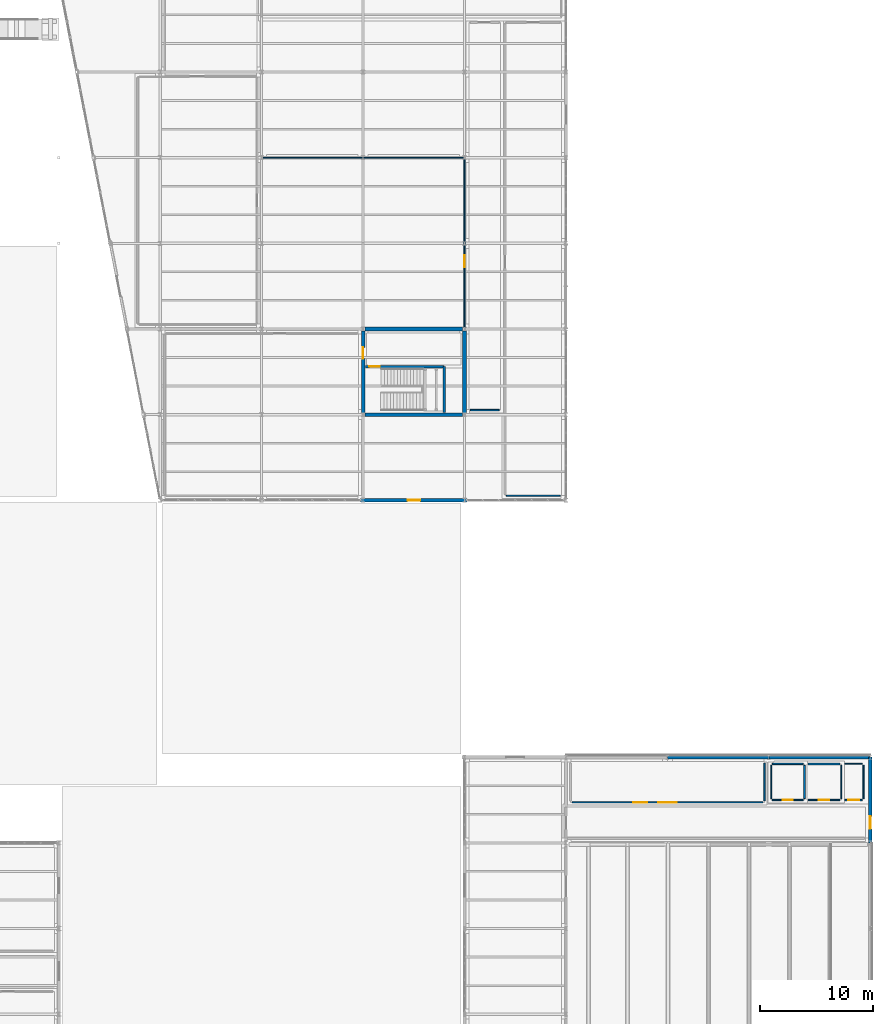
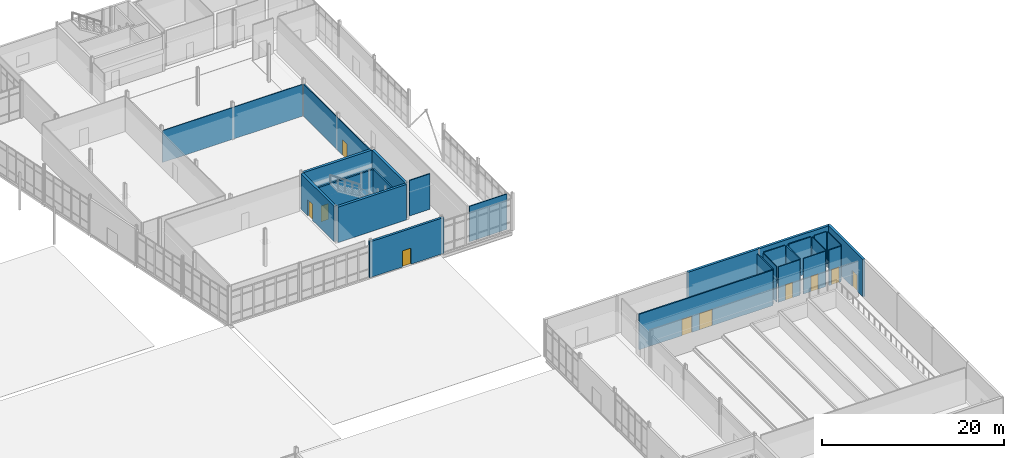
# One storey, part 149 of 161: 26 walls, 10 doors, 10 openings.
"""IFC4 building model written with IfcOpenShell, lengths in metres."""

from ifc_helpers import new_model, si_unit, direction, frame, frame_2d, origin, place, context, subcontext, project, spatial, rectangle, extrude, material, layer, layer_set, type_object, element, fill, save


model = new_model("IFC4")

# Units and contexts
model_context = context("Model", 3, precision=1e-05, world=origin(), true_north=direction((0.0, 1.0)))
body_context = subcontext(model_context, "Body", "Model", "MODEL_VIEW")
ifc_project = project(units=[si_unit("LENGTHUNIT", "METRE"), si_unit("AREAUNIT", "SQUARE_METRE"), si_unit("VOLUMEUNIT", "CUBIC_METRE"), si_unit("PLANEANGLEUNIT", "RADIAN"), si_unit("MASSUNIT", "GRAM", prefix="KILO")], contexts=[model_context])

# Site, building, storey
site_placement = place(None, origin())
site = spatial("IfcSite", under=ifc_project, at=site_placement, CompositionType="ELEMENT")
building_placement = place(site_placement, origin())
building = spatial("IfcBuilding", under=site, at=building_placement, Name="Caisbarro Railhouse Central Library", CompositionType="ELEMENT")
storey_placement = place(building_placement, origin())
storey = spatial("IfcBuildingStorey", under=building, at=storey_placement, Name="L00", CompositionType="ELEMENT", Elevation=0.0)

# Walls
ifc_material_1 = material(Name="Concrete C40", Category="concrete")
ifc_layer_1 = layer(ifc_material_1, 0.320068359375, Name="Concrete C40")
ifc_layer_set_1 = layer_set([ifc_layer_1], Name="Concrete C40")
wall_type_1 = type_object("IfcWallType", Name="WAL-CW32", PredefinedType="SHEAR", material=ifc_layer_set_1)
for number, where, z_axis, x_axis, name in (
    (1, (135.159912109375, 68.39990234375, 0.0), (0.0, 0.0, 1.0), (1.0, 0.0, 0.0), "CW32 RC core shear wall L00 #90"),
    (2, (135.159912109375, 76.0, 0.0), (0.0, 0.0, 1.0), (1.0, 0.0, 0.0), "CW32 RC core shear wall L00 #91"),
):
    element("IfcWall", number, at=place(storey_placement, frame(where, z_axis=z_axis, x_axis=x_axis)), inside=storey, type_object=wall_type_1, Name=name, PredefinedType="SHEAR", context=body_context, shape_type="SweptSolid", body=[
        extrude(rectangle(XDim=8.68017578125, YDim=0.320068359375, at=frame_2d((4.340087890625, 0.0))), origin(), (0.0, 0.0, 1.0), 4.760009765625),
    ])

# Wall, opening, door
wall_1_placement = place(storey_placement, frame((135.0, 68.56005859375, 0.0), z_axis=(0.0, 0.0, 1.0), x_axis=(0.0, 1.0, 0.0)))
wall_1 = element("IfcWall", 3, at=wall_1_placement, inside=storey, type_object=wall_type_1, Name="CW32 RC core shear wall L00 #92", PredefinedType="SHEAR", context=body_context, shape_type="SweptSolid", body=[
    extrude(rectangle(XDim=7.280029296875, YDim=0.320068359375, at=frame_2d((3.64013671875, 0.0))), origin(), (0.0, 0.0, 1.0), 4.760009765625),
])
opening_1_placement = place(wall_1_placement, frame((4.800048828125, 0.0, 0.0)))
opening_1 = element("IfcOpeningElement", 4, at=opening_1_placement, cuts=wall_1, Name="Opening FD05", PredefinedType="OPENING", context=body_context, shape_type="SweptSolid", body=[
    extrude(rectangle(XDim=1.0, YDim=2.14990234375, at=frame_2d((0.5, 1.074951171875))), frame((0.0, 0.169921875, 0.0), z_axis=(0.0, -1.0, 0.0), x_axis=(1.0, 0.0, 0.0)), (0.0, 0.0, 1.0), 0.340087890625),
])
ifc_material_2 = material(Name="Fire-rated painted galvanised steel", Category="steel")
door_type_1 = type_object("IfcDoorType", Name="DR-FD05", OperationType="NOTDEFINED", PredefinedType="DOOR", material=ifc_material_2)
door_1_placement = place(opening_1_placement, origin())
door_1 = element("IfcDoor", 5, at=door_1_placement, inside=storey, type_object=door_type_1, Name="Core K7 Lobby Door FD05 L00-128", OperationType="SINGLE_SWING_LEFT", OverallHeight=2.14990234375, OverallWidth=1.0, PredefinedType="DOOR", context=body_context, shape_type="SweptSolid", body=[
    extrude(rectangle(XDim=1.0, YDim=2.14990234375, at=frame_2d((0.5, 1.074951171875))), frame((0.0, 0.02490234375, 0.0), z_axis=(0.0, -1.0, 0.0), x_axis=(1.0, 0.0, 0.0)), (0.0, 0.0, 1.0), 0.050048828125),
])
fill(opening_1, door_1)

# Wall
wall_2_placement = place(storey_placement, frame((144.0, 68.56005859375, 0.0), z_axis=(0.0, 0.0, 1.0), x_axis=(0.0, 1.0, 0.0)))
element("IfcWall", 6, at=wall_2_placement, inside=storey, type_object=wall_type_1, Name="CW32 RC core shear wall L00 #93", PredefinedType="SHEAR", context=body_context, shape_type="SweptSolid", body=[
    extrude(rectangle(XDim=7.280029296875, YDim=0.320068359375, at=frame_2d((3.64013671875, 0.0))), origin(), (0.0, 0.0, 1.0), 4.760009765625),
])

# Wall, opening, door
ifc_layer_2 = layer(ifc_material_1, 0.280029296875, Name="Concrete C40")
ifc_layer_set_2 = layer_set([ifc_layer_2], Name="Concrete C40")
wall_type_2 = type_object("IfcWallType", Name="WAL-EW28", PredefinedType="SOLIDWALL", material=ifc_layer_set_2)
wall_3_placement = place(storey_placement, frame((134.7900390625, 60.800048828125, 0.0), z_axis=(0.0, 0.0, 1.0), x_axis=(1.0, 0.0, 0.0)))
wall_3 = element("IfcWall", 7, at=wall_3_placement, inside=storey, type_object=wall_type_2, Name="EW28 exterior wall L00 #203", PredefinedType="SOLIDWALL", context=body_context, shape_type="SweptSolid", body=[
    extrude(rectangle(XDim=9.419921875, YDim=0.280029296875, at=frame_2d((4.7099609375, 0.0))), origin(), (0.0, 0.0, 1.0), 4.800048828125),
])
opening_2_placement = place(wall_3_placement, frame((4.159912109375, 0.0, 0.0)))
opening_2 = element("IfcOpeningElement", 8, at=opening_2_placement, cuts=wall_3, Name="Opening ED04", PredefinedType="OPENING", context=body_context, shape_type="SweptSolid", body=[
    extrude(rectangle(XDim=1.10009765625, YDim=2.14990234375, at=frame_2d((0.550048828125, 1.074951171875))), frame((0.0, 0.14990234375, 0.0), z_axis=(0.0, -1.0, 0.0), x_axis=(1.0, 0.0, 0.0)), (0.0, 0.0, 1.0), 0.300048828125),
])
ifc_material_3 = material(Name="Galvanised painted hollow steel", Category="steel")
door_type_2 = type_object("IfcDoorType", Name="DR-ED04", OperationType="NOTDEFINED", PredefinedType="DOOR", material=ifc_material_3)
door_2_placement = place(opening_2_placement, frame((1.10009765625, 0.0, 0.0), z_axis=(0.0, 0.0, 1.0), x_axis=(-1.0, 0.0, 0.0)))
door_2 = element("IfcDoor", 9, at=door_2_placement, inside=storey, type_object=door_type_2, Name="Exit Door ED04 L00-37", OperationType="SINGLE_SWING_RIGHT", OverallHeight=2.14990234375, OverallWidth=1.10009765625, PredefinedType="DOOR", context=body_context, shape_type="SweptSolid", body=[
    extrude(rectangle(XDim=1.10009765625, YDim=2.14990234375, at=frame_2d((0.550048828125, 1.074951171875))), frame((0.0, 0.02490234375, 0.0), z_axis=(0.0, -1.0, 0.0), x_axis=(1.0, 0.0, 0.0)), (0.0, 0.0, 1.0), 0.050048828125),
])
fill(opening_2, door_2)

ifc_layer_3 = layer(ifc_material_1, 0.300048828125, Name="Concrete C40")
ifc_layer_set_3 = layer_set([ifc_layer_3], Name="Concrete C40")
wall_type_3 = type_object("IfcWallType", Name="WAL-EW30", PredefinedType="SOLIDWALL", material=ifc_layer_set_3)
wall_4_placement = place(storey_placement, frame((180.0, 30.39990234375, 0.0), z_axis=(0.0, 0.0, 1.0), x_axis=(0.0, 1.0, 0.0)))
wall_4 = element("IfcWall", 10, at=wall_4_placement, inside=storey, type_object=wall_type_3, Name="EW30 exterior wall L00 #163", PredefinedType="SOLIDWALL", context=body_context, shape_type="SweptSolid", body=[
    extrude(rectangle(XDim=7.60009765625, YDim=0.300048828125, at=frame_2d((3.800048828125, 0.0))), origin(), (0.0, 0.0, 1.0), 5.0400390625),
])
opening_3_placement = place(wall_4_placement, frame((1.25, 0.0, 0.0)))
opening_3 = element("IfcOpeningElement", 11, at=opening_3_placement, cuts=wall_4, Name="Opening ED04", PredefinedType="OPENING", context=body_context, shape_type="SweptSolid", body=[
    extrude(rectangle(XDim=1.10009765625, YDim=2.14990234375, at=frame_2d((0.550048828125, 1.074951171875))), frame((0.0, 0.16015625, 0.0), z_axis=(0.0, -1.0, 0.0), x_axis=(1.0, 0.0, 0.0)), (0.0, 0.0, 1.0), 0.320068359375),
])
door_3_placement = place(opening_3_placement, frame((1.10009765625, 0.0, 0.0), z_axis=(0.0, 0.0, 1.0), x_axis=(-1.0, 0.0, 0.0)))
door_3 = element("IfcDoor", 12, at=door_3_placement, inside=storey, type_object=door_type_2, Name="Exit Door ED04 L00-31", OperationType="SINGLE_SWING_RIGHT", OverallHeight=2.14990234375, OverallWidth=1.10009765625, PredefinedType="DOOR", context=body_context, shape_type="SweptSolid", body=[
    extrude(rectangle(XDim=1.10009765625, YDim=2.14990234375, at=frame_2d((0.550048828125, 1.074951171875))), frame((0.0, 0.02490234375, 0.0), z_axis=(0.0, -1.0, 0.0), x_axis=(1.0, 0.0, 0.0)), (0.0, 0.0, 1.0), 0.050048828125),
])
fill(opening_3, door_3)

# Walls
for number, where, z_axis, x_axis, name in (
    (13, (162.0, 38.0, 0.0), (0.0, 0.0, 1.0), (1.0, 0.0, 0.0), "EW30 exterior wall L00 #169"),
    (14, (171.0, 38.0, 0.0), (0.0, 0.0, 1.0), (1.0, 0.0, 0.0), "EW30 exterior wall L00 #171"),
):
    element("IfcWall", number, at=place(storey_placement, frame(where, z_axis=z_axis, x_axis=x_axis)), inside=storey, type_object=wall_type_3, Name=name, PredefinedType="SOLIDWALL", context=body_context, shape_type="SweptSolid", body=[
        extrude(rectangle(XDim=9.0, YDim=0.300048828125, at=frame_2d((4.5, 0.0))), origin(), (0.0, 0.0, 1.0), 5.0400390625),
    ])
ifc_material_4 = material(Name="Acoustic gypsum board on galvanised steel studs", Category="steel")
ifc_layer_4 = layer(ifc_material_4, 0.090087890625, Name="Acoustic gypsum board on galvanised steel studs")
ifc_layer_set_4 = layer_set([ifc_layer_4], Name="Acoustic gypsum board on galvanised steel studs")
wall_type_4 = type_object("IfcWallType", Name="WAL-IW09", PredefinedType="PARTITIONING", material=ifc_layer_set_4)
for number, where, z_axis, x_axis, name in (
    (15, (171.199951171875, 34.320068359375, 0.0), (0.0, 0.0, 1.0), (0.0, 1.0, 0.0), "IW09 partition wall L00 #345"),
    (16, (177.43603515625, 34.320068359375, 0.0), (0.0, 0.0, 1.0), (0.0, 1.0, 0.0), "IW09 partition wall L00 #349"),
):
    element("IfcWall", number, at=place(storey_placement, frame(where, z_axis=z_axis, x_axis=x_axis)), inside=storey, type_object=wall_type_4, Name=name, PredefinedType="PARTITIONING", context=body_context, shape_type="SweptSolid", body=[
        extrude(rectangle(XDim=2.9599609375, YDim=0.090087890625, at=frame_2d((1.47998046875, 0.0))), origin(), (0.0, 0.0, 1.0), 4.760009765625),
    ])
wall_5_placement = place(storey_placement, frame((177.756103515625, 37.39990234375, 0.0), z_axis=(0.0, 0.0, 1.0), x_axis=(1.0, 0.0, 0.0)))
element("IfcWall", 17, at=wall_5_placement, inside=storey, type_object=wall_type_4, Name="IW09 partition wall L00 #353", PredefinedType="PARTITIONING", context=body_context, shape_type="SweptSolid", body=[
    extrude(rectangle(XDim=1.52392578125, YDim=0.090087890625, at=frame_2d((0.761962890625, 0.0))), origin(), (0.0, 0.0, 1.0), 4.760009765625),
])
wall_6_placement = place(storey_placement, frame((126.1201171875, 91.199951171875, 0.0), z_axis=(0.0, 0.0, 1.0), x_axis=(1.0, 0.0, 0.0)))
element("IfcWall", 18, at=wall_6_placement, inside=storey, type_object=wall_type_4, Name="IW09 partition wall L00 #361", PredefinedType="PARTITIONING", context=body_context, shape_type="SweptSolid", body=[
    extrude(rectangle(XDim=17.759765625, YDim=0.090087890625, at=frame_2d((8.8798828125, 0.0))), origin(), (0.0, 0.0, 1.0), 4.27490234375),
])
ifc_layer_5 = layer(ifc_material_4, 0.110107421875, Name="Acoustic gypsum board on galvanised steel studs")
ifc_layer_set_5 = layer_set([ifc_layer_5], Name="Acoustic gypsum board on galvanised steel studs")
wall_type_5 = type_object("IfcWallType", Name="WAL-IW11", PredefinedType="PARTITIONING", material=ifc_layer_set_5)
wall_7_placement = place(storey_placement, frame((147.719970703125, 61.199951171875, 0.0), z_axis=(0.0, 0.0, 1.0), x_axis=(1.0, 0.0, 0.0)))
element("IfcWall", 19, at=wall_7_placement, inside=storey, type_object=wall_type_5, Name="IW11 partition wall L00 #340", PredefinedType="PARTITIONING", context=body_context, shape_type="SweptSolid", body=[
    extrude(rectangle(XDim=4.760009765625, YDim=0.110107421875, at=frame_2d((2.3798828125, 0.0))), origin(), (0.0, 0.0, 1.0), 4.760009765625),
])

# Wall, opening, door
wall_8_placement = place(storey_placement, frame((171.320068359375, 34.199951171875, 0.0), z_axis=(0.0, 0.0, 1.0), x_axis=(1.0, 0.0, 0.0)))
wall_8 = element("IfcWall", 20, at=wall_8_placement, inside=storey, type_object=wall_type_5, Name="IW11 partition wall L00 #344", PredefinedType="PARTITIONING", context=body_context, shape_type="SweptSolid", body=[
    extrude(rectangle(XDim=2.72802734375, YDim=0.110107421875, at=frame_2d((1.364013671875, 0.0))), origin(), (0.0, 0.0, 1.0), 4.760009765625),
])
opening_4_placement = place(wall_8_placement, frame((0.9140625, 0.0, 0.0)))
opening_4 = element("IfcOpeningElement", 21, at=opening_4_placement, cuts=wall_8, Name="Opening ID02", PredefinedType="OPENING", context=body_context, shape_type="SweptSolid", body=[
    extrude(rectangle(XDim=0.89990234375, YDim=2.06005859375, at=frame_2d((0.449951171875, 1.030029296875))), frame((0.0, 0.06494140625, 0.0), z_axis=(0.0, -1.0, 0.0), x_axis=(1.0, 0.0, 0.0)), (0.0, 0.0, 1.0), 0.130126953125),
])
ifc_material_5 = material(Name="Solid-core tropical hardwood veneer", Category="wood")
door_type_3 = type_object("IfcDoorType", Name="DR-ID02", OperationType="NOTDEFINED", PredefinedType="DOOR", material=ifc_material_5)
door_4_placement = place(opening_4_placement, origin())
door_4 = element("IfcDoor", 22, at=door_4_placement, inside=storey, type_object=door_type_3, Name="Male WC L00-V3 Door ID02 L00-212", OperationType="SINGLE_SWING_RIGHT", OverallHeight=2.06005859375, OverallWidth=0.89990234375, PredefinedType="DOOR", context=body_context, shape_type="SweptSolid", body=[
    extrude(rectangle(XDim=0.89990234375, YDim=2.06005859375, at=frame_2d((0.449951171875, 1.030029296875))), frame((0.0, 0.02490234375, 0.0), z_axis=(0.0, -1.0, 0.0), x_axis=(1.0, 0.0, 0.0)), (0.0, 0.0, 1.0), 0.050048828125),
])
fill(opening_4, door_4)

wall_9_placement = place(storey_placement, frame((174.488037109375, 34.199951171875, 0.0), z_axis=(0.0, 0.0, 1.0), x_axis=(1.0, 0.0, 0.0)))
wall_9 = element("IfcWall", 23, at=wall_9_placement, inside=storey, type_object=wall_type_5, Name="IW11 partition wall L00 #348", PredefinedType="PARTITIONING", context=body_context, shape_type="SweptSolid", body=[
    extrude(rectangle(XDim=2.827880859375, YDim=0.110107421875, at=frame_2d((1.4140625, 0.0))), origin(), (0.0, 0.0, 1.0), 4.760009765625),
])
opening_5_placement = place(wall_9_placement, frame((0.944091796875, 0.0, 0.0)))
opening_5 = element("IfcOpeningElement", 24, at=opening_5_placement, cuts=wall_9, Name="Opening ID03", PredefinedType="OPENING", context=body_context, shape_type="SweptSolid", body=[
    extrude(rectangle(XDim=0.93994140625, YDim=2.06005859375, at=frame_2d((0.469970703125, 1.030029296875))), frame((0.0, 0.06494140625, 0.0), z_axis=(0.0, -1.0, 0.0), x_axis=(1.0, 0.0, 0.0)), (0.0, 0.0, 1.0), 0.130126953125),
])
door_type_4 = type_object("IfcDoorType", Name="DR-ID03", OperationType="NOTDEFINED", PredefinedType="DOOR", material=ifc_material_5)
door_5_placement = place(opening_5_placement, origin())
door_5 = element("IfcDoor", 25, at=door_5_placement, inside=storey, type_object=door_type_4, Name="Female WC L00-V3 Door ID03 L00-213", OperationType="SINGLE_SWING_LEFT", OverallHeight=2.06005859375, OverallWidth=0.93994140625, PredefinedType="DOOR", context=body_context, shape_type="SweptSolid", body=[
    extrude(rectangle(XDim=0.93994140625, YDim=2.06005859375, at=frame_2d((0.469970703125, 1.030029296875))), frame((0.0, 0.02490234375, 0.0), z_axis=(0.0, -1.0, 0.0), x_axis=(1.0, 0.0, 0.0)), (0.0, 0.0, 1.0), 0.050048828125),
])
fill(opening_5, door_5)

# Wall
wall_10_placement = place(storey_placement, frame((179.39990234375, 34.320068359375, 0.0), z_axis=(0.0, 0.0, 1.0), x_axis=(0.0, 1.0, 0.0)))
element("IfcWall", 26, at=wall_10_placement, inside=storey, type_object=wall_type_5, Name="IW11 partition wall L00 #352", PredefinedType="PARTITIONING", context=body_context, shape_type="SweptSolid", body=[
    extrude(rectangle(XDim=2.9599609375, YDim=0.110107421875, at=frame_2d((1.47998046875, 0.0))), origin(), (0.0, 0.0, 1.0), 4.760009765625),
])

# Wall, opening, door
wall_11_placement = place(storey_placement, frame((144.0, 76.1201171875, 0.0), z_axis=(0.0, 0.0, 1.0), x_axis=(0.0, 1.0, 0.0)))
wall_11 = element("IfcWall", 27, at=wall_11_placement, inside=storey, type_object=wall_type_5, Name="IW11 partition wall L00 #360", PredefinedType="PARTITIONING", context=body_context, shape_type="SweptSolid", body=[
    extrude(rectangle(XDim=14.9599609375, YDim=0.110107421875, at=frame_2d((7.47998046875, 0.0))), origin(), (0.0, 0.0, 1.0), 4.35107421875),
])
opening_6_placement = place(wall_11_placement, frame((5.360107421875, 0.0, 0.0)))
opening_6 = element("IfcOpeningElement", 28, at=opening_6_placement, cuts=wall_11, Name="Opening ID05", PredefinedType="OPENING", context=body_context, shape_type="SweptSolid", body=[
    extrude(rectangle(XDim=1.0400390625, YDim=2.06005859375, at=frame_2d((0.52001953125, 1.030029296875))), frame((0.0, 0.06494140625, 0.0), z_axis=(0.0, -1.0, 0.0), x_axis=(1.0, 0.0, 0.0)), (0.0, 0.0, 1.0), 0.130126953125),
])
door_type_5 = type_object("IfcDoorType", Name="DR-ID05", OperationType="NOTDEFINED", PredefinedType="DOOR", material=ifc_material_5)
door_6_placement = place(opening_6_placement, origin())
door_6 = element("IfcDoor", 29, at=door_6_placement, inside=storey, type_object=door_type_5, Name="Atrium Ground Concourse Door ID05 L00-223", OperationType="SINGLE_SWING_LEFT", OverallHeight=2.06005859375, OverallWidth=1.0400390625, PredefinedType="DOOR", context=body_context, shape_type="SweptSolid", body=[
    extrude(rectangle(XDim=1.0400390625, YDim=2.06005859375, at=frame_2d((0.52001953125, 1.030029296875))), frame((0.0, 0.02490234375, 0.0), z_axis=(0.0, -1.0, 0.0), x_axis=(1.0, 0.0, 0.0)), (0.0, 0.0, 1.0), 0.050048828125),
])
fill(opening_6, door_6)

# Walls
ifc_layer_6 = layer(ifc_material_4, 0.1298828125, Name="Acoustic gypsum board on galvanised steel studs")
ifc_layer_set_6 = layer_set([ifc_layer_6], Name="Acoustic gypsum board on galvanised steel studs")
wall_type_6 = type_object("IfcWallType", Name="WAL-IW13", PredefinedType="PARTITIONING", material=ifc_layer_set_6)
wall_12_placement = place(storey_placement, frame((170.60009765625, 34.1201171875, 0.0), z_axis=(0.0, 0.0, 1.0), x_axis=(0.0, 1.0, 0.0)))
element("IfcWall", 30, at=wall_12_placement, inside=storey, type_object=wall_type_6, Name="IW13 partition wall L00 #343", PredefinedType="PARTITIONING", context=body_context, shape_type="SweptSolid", body=[
    extrude(rectangle(XDim=3.35986328125, YDim=0.1298828125, at=frame_2d((1.679931640625, 0.0))), origin(), (0.0, 0.0, 1.0), 4.760009765625),
])
wall_13_placement = place(storey_placement, frame((171.320068359375, 37.39990234375, 0.0), z_axis=(0.0, 0.0, 1.0), x_axis=(1.0, 0.0, 0.0)))
element("IfcWall", 31, at=wall_13_placement, inside=storey, type_object=wall_type_6, Name="IW13 partition wall L00 #347", PredefinedType="PARTITIONING", context=body_context, shape_type="SweptSolid", body=[
    extrude(rectangle(XDim=2.72802734375, YDim=0.1298828125, at=frame_2d((1.364013671875, 0.0))), origin(), (0.0, 0.0, 1.0), 4.760009765625),
])

# Wall, opening, door
wall_14_placement = place(storey_placement, frame((177.756103515625, 34.199951171875, 0.0), z_axis=(0.0, 0.0, 1.0), x_axis=(1.0, 0.0, 0.0)))
wall_14 = element("IfcWall", 32, at=wall_14_placement, inside=storey, type_object=wall_type_6, Name="IW13 partition wall L00 #351", PredefinedType="PARTITIONING", context=body_context, shape_type="SweptSolid", body=[
    extrude(rectangle(XDim=1.52392578125, YDim=0.1298828125, at=frame_2d((0.761962890625, 0.0))), origin(), (0.0, 0.0, 1.0), 4.760009765625),
])
opening_7_placement = place(wall_14_placement, frame((0.27197265625, 0.0, 0.0)))
opening_7 = element("IfcOpeningElement", 33, at=opening_7_placement, cuts=wall_14, Name="Opening ID04", PredefinedType="OPENING", context=body_context, shape_type="SweptSolid", body=[
    extrude(rectangle(XDim=0.97998046875, YDim=2.06005859375, at=frame_2d((0.489990234375, 1.030029296875))), frame((0.0, 0.074951171875, 0.0), z_axis=(0.0, -1.0, 0.0), x_axis=(1.0, 0.0, 0.0)), (0.0, 0.0, 1.0), 0.14990234375),
])
door_type_6 = type_object("IfcDoorType", Name="DR-ID04", OperationType="NOTDEFINED", PredefinedType="DOOR", material=ifc_material_5)
door_7_placement = place(opening_7_placement, origin())
door_7 = element("IfcDoor", 34, at=door_7_placement, inside=storey, type_object=door_type_6, Name="Accessible WC L00-V3 Door ID04 L00-214", OperationType="SINGLE_SWING_RIGHT", OverallHeight=2.06005859375, OverallWidth=0.97998046875, PredefinedType="DOOR", context=body_context, shape_type="SweptSolid", body=[
    extrude(rectangle(XDim=0.97998046875, YDim=2.06005859375, at=frame_2d((0.489990234375, 1.030029296875))), frame((0.0, 0.02490234375, 0.0), z_axis=(0.0, -1.0, 0.0), x_axis=(1.0, 0.0, 0.0)), (0.0, 0.0, 1.0), 0.050048828125),
])
fill(opening_7, door_7)

# Walls
wall_15_placement = place(storey_placement, frame((144.52001953125, 68.800048828125, 0.0), z_axis=(0.0, 0.0, 1.0), x_axis=(1.0, 0.0, 0.0)))
element("IfcWall", 35, at=wall_15_placement, inside=storey, type_object=wall_type_6, Name="IW13 partition wall L00 #363", PredefinedType="PARTITIONING", context=body_context, shape_type="SweptSolid", body=[
    extrude(rectangle(XDim=2.56005859375, YDim=0.1298828125, at=frame_2d((1.280029296875, 0.0))), origin(), (0.0, 0.0, 1.0), 4.760009765625),
])
ifc_layer_7 = layer(ifc_material_4, 0.14990234375, Name="Acoustic gypsum board on galvanised steel studs")
ifc_layer_set_7 = layer_set([ifc_layer_7], Name="Acoustic gypsum board on galvanised steel studs")
wall_type_7 = type_object("IfcWallType", Name="WAL-IW15", PredefinedType="PARTITIONING", material=ifc_layer_set_7)
wall_16_placement = place(storey_placement, frame((174.16796875, 34.320068359375, 0.0), z_axis=(0.0, 0.0, 1.0), x_axis=(0.0, 1.0, 0.0)))
element("IfcWall", 36, at=wall_16_placement, inside=storey, type_object=wall_type_7, Name="IW15 partition wall L00 #346", PredefinedType="PARTITIONING", context=body_context, shape_type="SweptSolid", body=[
    extrude(rectangle(XDim=2.9599609375, YDim=0.14990234375, at=frame_2d((1.47998046875, 0.0))), origin(), (0.0, 0.0, 1.0), 4.760009765625),
])
wall_17_placement = place(storey_placement, frame((174.488037109375, 37.39990234375, 0.0), z_axis=(0.0, 0.0, 1.0), x_axis=(1.0, 0.0, 0.0)))
element("IfcWall", 37, at=wall_17_placement, inside=storey, type_object=wall_type_7, Name="IW15 partition wall L00 #350", PredefinedType="PARTITIONING", context=body_context, shape_type="SweptSolid", body=[
    extrude(rectangle(XDim=2.827880859375, YDim=0.14990234375, at=frame_2d((1.4140625, 0.0))), origin(), (0.0, 0.0, 1.0), 4.760009765625),
])

# Wall, openings, doors
ifc_material_6 = material(Name="Plastered cellular concrete masonry", Category="masonry")
ifc_layer_8 = layer(ifc_material_6, 0.169921875, Name="Plastered cellular concrete masonry")
ifc_layer_set_8 = layer_set([ifc_layer_8], Name="Plastered cellular concrete masonry")
wall_type_8 = type_object("IfcWallType", Name="WAL-IW17", PredefinedType="PARTITIONING", material=ifc_layer_set_8)
wall_18_placement = place(storey_placement, frame((153.52001953125, 34.0, 0.0), z_axis=(0.0, 0.0, 1.0), x_axis=(1.0, 0.0, 0.0)))
wall_18 = element("IfcWall", 38, at=wall_18_placement, inside=storey, type_object=wall_type_8, Name="IW17 partition wall L00 #341", PredefinedType="PARTITIONING", context=body_context, shape_type="SweptSolid", body=[
    extrude(rectangle(XDim=16.9599609375, YDim=0.169921875, at=frame_2d((8.47998046875, 0.0))), origin(), (0.0, 0.0, 1.0), 4.760009765625),
])
opening_8_placement = place(wall_18_placement, frame((7.669921875, 0.0, 0.0)))
opening_8 = element("IfcOpeningElement", 39, at=opening_8_placement, cuts=wall_18, Name="Opening ID49", PredefinedType="OPENING", context=body_context, shape_type="SweptSolid", body=[
    extrude(rectangle(XDim=1.6201171875, YDim=2.199951171875, at=frame_2d((0.81005859375, 1.10009765625))), frame((0.0, 0.094970703125, 0.0), z_axis=(0.0, -1.0, 0.0), x_axis=(1.0, 0.0, 0.0)), (0.0, 0.0, 1.0), 0.18994140625),
])
opening_9_placement = place(wall_18_placement, frame((5.455078125, 0.0, 0.0)))
opening_9 = element("IfcOpeningElement", 40, at=opening_9_placement, cuts=wall_18, Name="Opening FD04", PredefinedType="OPENING", context=body_context, shape_type="SweptSolid", body=[
    extrude(rectangle(XDim=1.25, YDim=2.179931640625, at=frame_2d((0.625, 1.08984375))), frame((0.0, 0.094970703125, 0.0), z_axis=(0.0, -1.0, 0.0), x_axis=(1.0, 0.0, 0.0)), (0.0, 0.0, 1.0), 0.18994140625),
])
door_type_7 = type_object("IfcDoorType", Name="DR-FD04", OperationType="NOTDEFINED", PredefinedType="DOOR", material=ifc_material_2)
door_8_placement = place(opening_9_placement, origin())
door_8 = element("IfcDoor", 41, at=door_8_placement, inside=storey, type_object=door_type_7, Name="Auditorium North Corridor Door FD04 L00-226", OperationType="SINGLE_SWING_RIGHT", OverallHeight=2.179931640625, OverallWidth=1.25, PredefinedType="DOOR", context=body_context, shape_type="SweptSolid", body=[
    extrude(rectangle(XDim=1.25, YDim=2.179931640625, at=frame_2d((0.625, 1.08984375))), frame((0.0, 0.02490234375, 0.0), z_axis=(0.0, -1.0, 0.0), x_axis=(1.0, 0.0, 0.0)), (0.0, 0.0, 1.0), 0.050048828125),
])
fill(opening_9, door_8)
door_type_8 = type_object("IfcDoorType", Name="DR-ID49", OperationType="NOTDEFINED", PredefinedType="DOOR", material=ifc_material_5)
door_9_placement = place(opening_8_placement, origin())
door_9 = element("IfcDoor", 42, at=door_9_placement, inside=storey, type_object=door_type_8, Name="Green Room and Stage Support Suite Door ID49 L00-211", OperationType="SINGLE_SWING_LEFT", OverallHeight=2.199951171875, OverallWidth=1.6201171875, PredefinedType="DOOR", context=body_context, shape_type="SweptSolid", body=[
    extrude(rectangle(XDim=1.6201171875, YDim=2.199951171875, at=frame_2d((0.81005859375, 1.10009765625))), frame((0.0, 0.02490234375, 0.0), z_axis=(0.0, -1.0, 0.0), x_axis=(1.0, 0.0, 0.0)), (0.0, 0.0, 1.0), 0.050048828125),
])
fill(opening_8, door_9)

# Wall, opening, door
ifc_layer_9 = layer(ifc_material_1, 0.2099609375, Name="Concrete C40")
ifc_layer_set_9 = layer_set([ifc_layer_9], Name="Concrete C40")
wall_type_9 = type_object("IfcWallType", Name="WAL-SW21", PredefinedType="SOLIDWALL", material=ifc_layer_set_9)
wall_19_placement = place(storey_placement, frame((135.199951171875, 72.64990234375, 0.0), z_axis=(0.0, 0.0, 1.0), x_axis=(1.0, 0.0, 0.0)))
wall_19 = element("IfcWall", 43, at=wall_19_placement, inside=storey, type_object=wall_type_9, Name="SW21 core shaft wall L00 #151", PredefinedType="SOLIDWALL", context=body_context, shape_type="SweptSolid", body=[
    extrude(rectangle(XDim=7.0, YDim=0.2099609375, at=frame_2d((3.5, 0.0))), origin(), (0.0, 0.0, 1.0), 4.760009765625),
])
opening_10_placement = place(wall_19_placement, frame((0.35009765625, 0.0, 0.0)))
opening_10 = element("IfcOpeningElement", 44, at=opening_10_placement, cuts=wall_19, Name="Opening FD01", PredefinedType="OPENING", context=body_context, shape_type="SweptSolid", body=[
    extrude(rectangle(XDim=0.949951171875, YDim=2.1201171875, at=frame_2d((0.47509765625, 1.06005859375))), frame((0.0, 0.114990234375, 0.0), z_axis=(0.0, -1.0, 0.0), x_axis=(1.0, 0.0, 0.0)), (0.0, 0.0, 1.0), 0.22998046875),
])
door_type_9 = type_object("IfcDoorType", Name="DR-FD01", OperationType="NOTDEFINED", PredefinedType="DOOR", material=ifc_material_2)
door_10_placement = place(opening_10_placement, origin())
door_10 = element("IfcDoor", 45, at=door_10_placement, inside=storey, type_object=door_type_9, Name="Stair ST-07 Fire Door FD01 L00-127", OperationType="SINGLE_SWING_RIGHT", OverallHeight=2.1201171875, OverallWidth=0.949951171875, PredefinedType="DOOR", context=body_context, shape_type="SweptSolid", body=[
    extrude(rectangle(XDim=0.949951171875, YDim=2.1201171875, at=frame_2d((0.47509765625, 1.06005859375))), frame((0.0, 0.02490234375, 0.0), z_axis=(0.0, -1.0, 0.0), x_axis=(1.0, 0.0, 0.0)), (0.0, 0.0, 1.0), 0.050048828125),
])
fill(opening_10, door_10)

# Wall
wall_20_placement = place(storey_placement, frame((142.199951171875, 68.60009765625, 0.0), z_axis=(0.0, 0.0, 1.0), x_axis=(0.0, 1.0, 0.0)))
element("IfcWall", 46, at=wall_20_placement, inside=storey, type_object=wall_type_9, Name="SW21 core shaft wall L00 #152", PredefinedType="SOLIDWALL", context=body_context, shape_type="SweptSolid", body=[
    extrude(rectangle(XDim=4.0498046875, YDim=0.2099609375, at=frame_2d((2.02490234375, 0.0))), origin(), (0.0, 0.0, 1.0), 4.760009765625),
])

save(model, "model.ifc")
